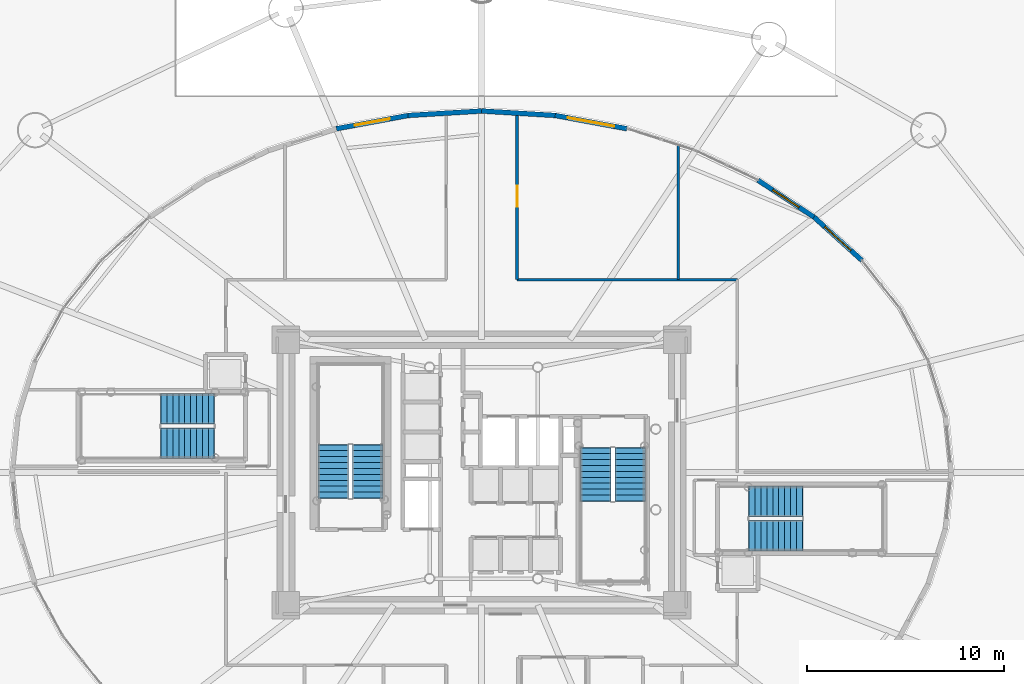
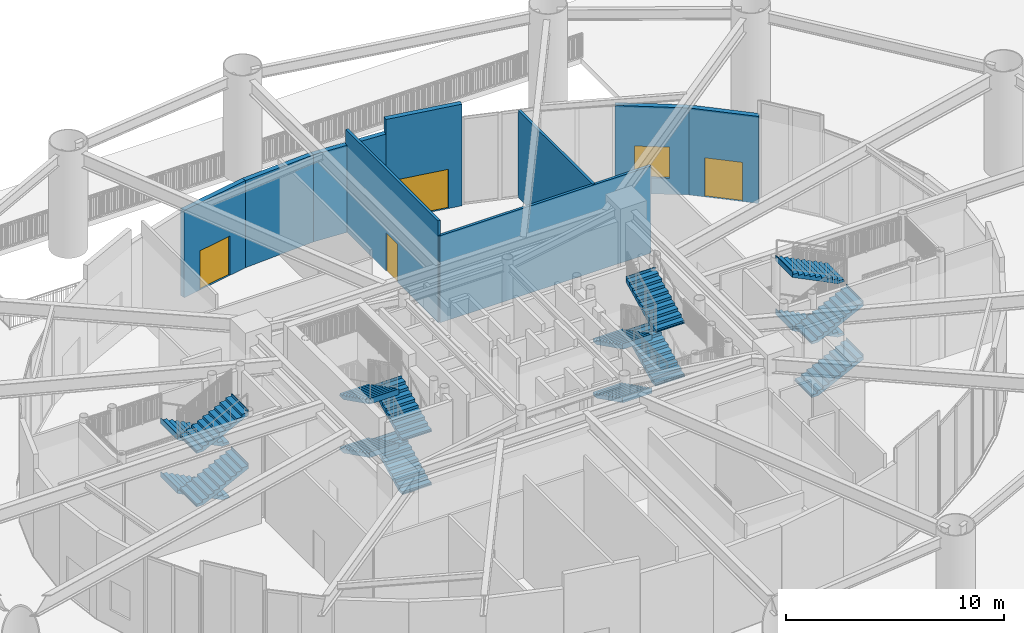
# One storey, part 33 of 46: 16 stair flights, 9 walls, 4 doors, 1 window, 5 openings, 4 elements without a shape of their own.
"""IFC4 building model written with IfcOpenShell, lengths in metres."""

from ifc_helpers import new_model, si_unit, direction, frame, frame_2d, origin, origin_2d, place, context, subcontext, project, spatial, polyline, rectangle, outline, extrude, source, transform, mapped, material, layer, layer_set, type_object, element, fill, aggregate, save


model = new_model("IFC4")

# Units and contexts
model_context = context("Model", 3, precision=1e-05, world=origin(), true_north=direction((0.0, 1.0)))
body_context = subcontext(model_context, "Body", "Model", "MODEL_VIEW")
ifc_project = project(units=[si_unit("LENGTHUNIT", "METRE"), si_unit("AREAUNIT", "SQUARE_METRE"), si_unit("VOLUMEUNIT", "CUBIC_METRE"), si_unit("PLANEANGLEUNIT", "RADIAN"), si_unit("MASSUNIT", "GRAM", prefix="KILO")], contexts=[model_context])

# Site, building, storey
site_placement = place(None, origin())
site = spatial("IfcSite", under=ifc_project, at=site_placement, CompositionType="ELEMENT")
building_placement = place(site_placement, origin())
building = spatial("IfcBuilding", under=site, at=building_placement, Name="Linh Dai School and Residence Tower", CompositionType="ELEMENT")
storey_placement = place(building_placement, origin())
storey = spatial("IfcBuildingStorey", under=building, at=storey_placement, Name="L00", CompositionType="ELEMENT", Elevation=0.0)

# Wall, opening, door
ifc_material_1 = material(Name="Precast Concrete B45 (C35/45)", Category="concrete")
ifc_layer_1 = layer(ifc_material_1, 0.25)
ifc_layer_set_1 = layer_set([ifc_layer_1], Name="Precast Concrete B45 (C35/45)")
wall_type_1 = type_object("IfcWallType", Name="EW-TC-250", PredefinedType="SOLIDWALL", material=ifc_layer_set_1)
wall_1_placement = place(storey_placement, frame((52.894287109375, 39.982421875, 0.0), z_axis=(0.0, 0.0, 1.0), x_axis=(0.742374125199, -0.669985565692, 0.0)))
wall_1 = element("IfcWall", 1, at=wall_1_placement, inside=storey, type_object=wall_type_1, Name="L00 Terracotta Exterior Wall 05", PredefinedType="SOLIDWALL", context=body_context, shape_type="SweptSolid", body=[
    extrude(rectangle(XDim=3.27490234375, YDim=0.25, at=frame_2d((1.637451171875, 0.0))), origin(), (0.0, 0.0, 1.0), 4.885009765625),
])
opening_1_placement = place(wall_1_placement, frame((0.737548828125, 0.0, 0.0)))
opening_1 = element("IfcOpeningElement", 2, at=opening_1_placement, cuts=wall_1, Name="Opening ED-06", PredefinedType="OPENING", context=body_context, shape_type="SweptSolid", body=[
    extrude(rectangle(XDim=1.800048828125, YDim=2.199951171875, at=origin_2d()), frame((0.89990234375, 0.135009765625, 1.10009765625), z_axis=(0.0, -1.0, 0.0), x_axis=(1.0, 0.0, 0.0)), (0.0, 0.0, 1.0), 0.27001953125),
])
ifc_material_2 = material(Name="Glazed Aluminium Exit Door", Category="aluminium")
door_type_1 = type_object("IfcDoorType", Name="DR-EXIT-1800x2200", OperationType="NOTDEFINED", PredefinedType="DOOR", material=ifc_material_2)
shared_shape_1 = source(origin(), body_context, "Body", "SweptSolid", [
    extrude(rectangle(XDim=1.800048828125, YDim=2.199951171875, at=origin_2d()), frame((0.89990234375, 0.02490234375, 1.10009765625), z_axis=(0.0, -1.0, 0.0), x_axis=(1.0, 0.0, 0.0)), (0.0, 0.0, 1.0), 0.050048828125),
])
door_1_placement = place(opening_1_placement, origin())
door_1 = element("IfcDoor", 3, at=door_1_placement, inside=storey, type_object=door_type_1, Name="Final Exit Door ED-06 (Residential Lobby NE)", OperationType="SINGLE_SWING_RIGHT", OverallHeight=2.199951171875, OverallWidth=1.800048828125, PredefinedType="DOOR", context=body_context, shape_type="MappedRepresentation", body=[
    mapped(shared_shape_1, transform((0.0, 0.0, 0.0), x_axis=(1.0, 0.0, 0.0), y_axis=(0.0, 1.0, 0.0), z_axis=(0.0, 0.0, 1.0), scale=1.0)),
])
fill(opening_1, door_1)

# Wall, opening, window
wall_2_placement = place(storey_placement, frame((50.045654296875, 41.857666015625, 0.0), z_axis=(0.0, 0.0, 1.0), x_axis=(0.835263082911, -0.549850509071, 0.0)))
wall_2 = element("IfcWall", 4, at=wall_2_placement, inside=storey, type_object=wall_type_1, Name="L00 Terracotta Exterior Wall 06", PredefinedType="SOLIDWALL", context=body_context, shape_type="SweptSolid", body=[
    extrude(rectangle(XDim=3.410400390625, YDim=0.25, at=frame_2d((1.705078125, 0.0))), origin(), (0.0, 0.0, 1.0), 4.885009765625),
])
opening_2_placement = place(wall_2_placement, frame((0.905029296875, 0.0, 0.89990234375)))
opening_2 = element("IfcOpeningElement", 5, at=opening_2_placement, cuts=wall_2, Name="Opening W2", PredefinedType="OPENING", context=body_context, shape_type="SweptSolid", body=[
    extrude(rectangle(XDim=1.60009765625, YDim=1.75, at=origin_2d()), frame((0.800048828125, 0.135009765625, 0.875), z_axis=(0.0, -1.0, 0.0), x_axis=(1.0, 0.0, 0.0)), (0.0, 0.0, 1.0), 0.27001953125),
])
ifc_material_3 = material(Name="Double Low-E Insulated Glazing", Category="glass")
window_type = type_object("IfcWindowType", Name="WN-RES-1600x1750", PartitioningType="DOUBLE_PANEL_VERTICAL", PredefinedType="WINDOW", material=ifc_material_3)
shared_shape_2 = source(origin(), body_context, "Body", "SweptSolid", [
    extrude(rectangle(XDim=1.60009765625, YDim=1.75, at=origin_2d()), frame((0.800048828125, 0.030029296875, 0.875), z_axis=(0.0, -1.0, 0.0), x_axis=(1.0, 0.0, 0.0)), (0.0, 0.0, 1.0), 0.06005859375),
])
window_placement = place(opening_2_placement, origin())
window = element("IfcWindow", 6, at=window_placement, inside=storey, type_object=window_type, Name="L00 Exterior Window 06.1", OverallHeight=1.75, OverallWidth=1.60009765625, PartitioningType="DOUBLE_PANEL_VERTICAL", PredefinedType="WINDOW", context=body_context, shape_type="MappedRepresentation", body=[
    mapped(shared_shape_2, transform((0.0, 0.0, 0.0), x_axis=(1.0, 0.0, 0.0), y_axis=(0.0, 1.0, 0.0), z_axis=(0.0, 0.0, 1.0), scale=1.0)),
])
fill(opening_2, window)

# Wall, opening, door
wall_3_placement = place(storey_placement, frame((39.7392578125, 45.148193359375, 0.0), z_axis=(0.0, 0.0, 1.0), x_axis=(0.983306878602, -0.181954891374, 0.0)))
wall_3 = element("IfcWall", 7, at=wall_3_placement, inside=storey, type_object=wall_type_1, Name="L00 Terracotta Exterior Wall 09", PredefinedType="SOLIDWALL", context=body_context, shape_type="SweptSolid", body=[
    extrude(rectangle(XDim=3.708740234375, YDim=0.25, at=frame_2d((1.8544921875, 0.0))), origin(), (0.0, 0.0, 1.0), 5.699951171875),
])
opening_3_placement = place(wall_3_placement, frame((0.654296875, 0.0, 0.0)))
opening_3 = element("IfcOpeningElement", 8, at=opening_3_placement, cuts=wall_3, Name="Opening VG-01", PredefinedType="OPENING", context=body_context, shape_type="SweptSolid", body=[
    extrude(rectangle(XDim=2.39990234375, YDim=2.199951171875, at=origin_2d()), frame((1.199951171875, 0.135009765625, 1.10009765625), z_axis=(0.0, -1.0, 0.0), x_axis=(1.0, 0.0, 0.0)), (0.0, 0.0, 1.0), 0.27001953125),
])
ifc_material_4 = material(Name="Powder-Coated Steel Security Gate", Category="steel")
door_type_2 = type_object("IfcDoorType", Name="GT-PLAZA-2400x2200", OperationType="NOTDEFINED", PredefinedType="GATE", material=ifc_material_4)
shared_shape_3 = source(origin(), body_context, "Body", "SweptSolid", [
    extrude(rectangle(XDim=2.39990234375, YDim=2.199951171875, at=origin_2d()), frame((1.199951171875, 0.02490234375, 1.10009765625), z_axis=(0.0, -1.0, 0.0), x_axis=(1.0, 0.0, 0.0)), (0.0, 0.0, 1.0), 0.050048828125),
])
door_2_placement = place(opening_3_placement, origin())
door_2 = element("IfcDoor", 9, at=door_2_placement, inside=storey, type_object=door_type_2, Name="L00 Concourse Security Gate VG-01", OperationType="SINGLE_SWING_LEFT", OverallHeight=2.199951171875, OverallWidth=2.39990234375, PredefinedType="GATE", context=body_context, shape_type="MappedRepresentation", body=[
    mapped(shared_shape_3, transform((0.0, 0.0, 0.0), x_axis=(1.0, 0.0, 0.0), y_axis=(0.0, 1.0, 0.0), z_axis=(0.0, 0.0, 1.0), scale=1.0)),
])
fill(opening_3, door_2)

# Walls
for number, where, z_axis, x_axis, name in (
    (10, (36.0, 45.375, 0.0), (0.0, 0.0, 1.0), (0.99816551411, -0.060544251933, 0.0), "L00 Terracotta Exterior Wall 10"),
    (11, (32.2607421875, 45.148193359375, 0.0), (0.0, 0.0, 1.0), (0.99816551411, 0.060544251933, 0.0), "L00 Terracotta Exterior Wall 11"),
):
    element("IfcWall", number, at=place(storey_placement, frame(where, z_axis=z_axis, x_axis=x_axis)), inside=storey, type_object=wall_type_1, Name=name, PredefinedType="SOLIDWALL", context=body_context, shape_type="SweptSolid", body=[
        extrude(rectangle(XDim=3.74609375, YDim=0.25, at=frame_2d((1.873046875, 0.0))), origin(), (0.0, 0.0, 1.0), 4.885009765625),
    ])

# Wall, opening, door
wall_4_placement = place(storey_placement, frame((28.614013671875, 44.473388671875, 0.0), z_axis=(0.0, 0.0, 1.0), x_axis=(0.983306878602, 0.181954891374, 0.0)))
wall_4 = element("IfcWall", 12, at=wall_4_placement, inside=storey, type_object=wall_type_1, Name="L00 Terracotta Exterior Wall 12", PredefinedType="SOLIDWALL", context=body_context, shape_type="SweptSolid", body=[
    extrude(rectangle(XDim=3.708740234375, YDim=0.25, at=frame_2d((1.8544921875, 0.0))), origin(), (0.0, 0.0, 1.0), 4.885009765625),
])
opening_4_placement = place(wall_4_placement, frame((0.954345703125, 0.0, 0.0)))
opening_4 = element("IfcOpeningElement", 13, at=opening_4_placement, cuts=wall_4, Name="Opening ED-02", PredefinedType="OPENING", context=body_context, shape_type="SweptSolid", body=[
    extrude(rectangle(XDim=1.800048828125, YDim=2.199951171875, at=origin_2d()), frame((0.89990234375, 0.135009765625, 1.10009765625), z_axis=(0.0, -1.0, 0.0), x_axis=(1.0, 0.0, 0.0)), (0.0, 0.0, 1.0), 0.27001953125),
])
door_3_placement = place(opening_4_placement, origin())
door_3 = element("IfcDoor", 14, at=door_3_placement, inside=storey, type_object=door_type_1, Name="Final Exit Door ED-02 (Stair ST2 North Exit)", OperationType="SINGLE_SWING_RIGHT", OverallHeight=2.199951171875, OverallWidth=1.800048828125, PredefinedType="DOOR", context=body_context, shape_type="MappedRepresentation", body=[
    mapped(shared_shape_1, transform((0.0, 0.0, 0.0), x_axis=(1.0, 0.0, 0.0), y_axis=(0.0, 1.0, 0.0), z_axis=(0.0, 0.0, 1.0), scale=1.0)),
])
fill(opening_4, door_3)

ifc_material_5 = material(Name="Autoclaved Aerated Concrete Blockwork", Category="masonry")
ifc_layer_2 = layer(ifc_material_5, 0.135009765625)
ifc_layer_set_2 = layer_set([ifc_layer_2], Name="Autoclaved Aerated Concrete Blockwork")
wall_type_2 = type_object("IfcWallType", Name="IW-CORR-135-EI90", PredefinedType="PARTITIONING", material=ifc_layer_set_2)
wall_5_placement = place(storey_placement, frame((37.800048828125, 36.800048828125, 0.0), z_axis=(0.0, 0.0, 1.0), x_axis=(0.0, 1.0, 0.0)))
wall_5 = element("IfcWall", 15, at=wall_5_placement, inside=storey, type_object=wall_type_2, Name="L00 Interior Partition Wall 045", PredefinedType="PARTITIONING", context=body_context, shape_type="SweptSolid", body=[
    extrude(rectangle(XDim=8.470703125, YDim=0.135009765625, at=frame_2d((4.2353515625, 0.0))), origin(), (0.0, 0.0, 1.0), 5.699951171875),
])
opening_5_placement = place(wall_5_placement, frame((3.71044921875, 0.0, 0.0)))
opening_5 = element("IfcOpeningElement", 16, at=opening_5_placement, cuts=wall_5, Name="Opening D04", PredefinedType="OPENING", context=body_context, shape_type="SweptSolid", body=[
    extrude(rectangle(XDim=1.050048828125, YDim=2.14990234375, at=origin_2d()), frame((0.52490234375, 0.07763671875, 1.074951171875), z_axis=(0.0, -1.0, 0.0), x_axis=(1.0, 0.0, 0.0)), (0.0, 0.0, 1.0), 0.155029296875),
])
ifc_material_6 = material(Name="Acoustic Vision-Panel Timber Classroom Door", Category="wood")
door_type_3 = type_object("IfcDoorType", Name="DR-SCH-1050x2150-FD60S", OperationType="NOTDEFINED", PredefinedType="DOOR", material=ifc_material_6)
shared_shape_4 = source(origin(), body_context, "Body", "SweptSolid", [
    extrude(rectangle(XDim=1.050048828125, YDim=2.14990234375, at=origin_2d()), frame((0.52490234375, 0.02490234375, 1.074951171875), z_axis=(0.0, -1.0, 0.0), x_axis=(1.0, 0.0, 0.0)), (0.0, 0.0, 1.0), 0.050048828125),
])
door_4_placement = place(opening_5_placement, origin())
door_4 = element("IfcDoor", 17, at=door_4_placement, inside=storey, type_object=door_type_3, Name="L00 Fire Command and Building Security Control Centre Door", OperationType="SINGLE_SWING_RIGHT", OverallHeight=2.14990234375, OverallWidth=1.050048828125, PredefinedType="DOOR", context=body_context, shape_type="MappedRepresentation", body=[
    mapped(shared_shape_4, transform((0.0, 0.0, 0.0), x_axis=(1.0, 0.0, 0.0), y_axis=(0.0, 1.0, 0.0), z_axis=(0.0, 0.0, 1.0), scale=1.0)),
])
fill(opening_5, door_4)

# Walls
wall_6_placement = place(storey_placement, frame((37.800048828125, 36.800048828125, 0.0), z_axis=(0.0, 0.0, 1.0), x_axis=(1.0, 0.0, 0.0)))
element("IfcWall", 18, at=wall_6_placement, inside=storey, type_object=wall_type_2, Name="L00 Interior Partition Wall 046", PredefinedType="PARTITIONING", context=body_context, shape_type="SweptSolid", body=[
    extrude(rectangle(XDim=11.199951171875, YDim=0.135009765625, at=frame_2d((5.60009765625, 0.0))), origin(), (0.0, 0.0, 1.0), 4.885009765625),
])
wall_7_placement = place(storey_placement, frame((46.0, 36.800048828125, 0.0), z_axis=(0.0, 0.0, 1.0), x_axis=(0.0, 1.0, 0.0)))
element("IfcWall", 19, at=wall_7_placement, inside=storey, type_object=wall_type_2, Name="L00 Interior Partition Wall 065", PredefinedType="PARTITIONING", context=body_context, shape_type="SweptSolid", body=[
    extrude(rectangle(XDim=6.843994140625, YDim=0.135009765625, at=frame_2d((3.421875, 0.0))), origin(), (0.0, 0.0, 1.0), 4.885009765625),
])

# Stair, stair flights
ifc_material_7 = material(Name="Concrete B45 (C35/45)", Category="concrete")
stair_type = type_object("IfcStairType", Name="ST-DOG-1550-R1500", PredefinedType="HALF_TURN_STAIR", material=ifc_material_7)
stair_1_placement = place(storey_placement, origin())
stair_1 = element("IfcStair", 20, at=stair_1_placement, inside=storey, type_object=stair_type, Name="L00 Core Smokeproof Exit Stair ST1", PredefinedType="HALF_TURN_STAIR")
stair_flight_type = type_object("IfcStairFlightType", Name="STF-STR-1550-R1500", PredefinedType="STRAIGHT", material=ifc_material_7)
shared_shape_5 = source(origin(), body_context, "Body", "SweptSolid", [
    extrude(outline(polyline([(-0.02490234375, 0.0), (-0.02490234375, 0.06005859375), (0.0, 0.06005859375), (0.0, 0.14990234375), (0.300048828125, 0.14990234375), (0.300048828125, 0.300048828125), (0.60009765625, 0.300048828125), (0.60009765625, 0.449951171875), (0.89990234375, 0.449951171875), (0.89990234375, 0.60009765625), (1.199951171875, 0.60009765625), (1.199951171875, 0.75), (1.5, 0.75), (1.5, 0.89990234375), (1.800048828125, 0.89990234375), (1.800048828125, 1.050048828125), (2.10009765625, 1.050048828125), (2.10009765625, 1.199951171875), (2.39990234375, 1.199951171875), (2.39990234375, 1.35009765625), (2.699951171875, 1.35009765625), (2.699951171875, 1.5), (2.72509765625, 1.5), (2.72509765625, 1.182373046875), (2.699951171875, 1.182373046875), (0.335205078125, 0.0), (-0.02490234375, 0.0)])), frame((0.0, 0.77490234375, 0.0), z_axis=(0.0, -1.0, 0.0), x_axis=(1.0, 0.0, 0.0)), (0.0, 0.0, 1.0), 1.550048828125),
])
stair_flight_1_placement = place(storey_placement, frame((30.205078125, 25.699951171875, 0.0), z_axis=(0.0, 0.0, 1.0), x_axis=(0.0, 1.0, 0.0)))
stair_flight_1 = element("IfcStairFlight", 21, at=stair_flight_1_placement, type_object=stair_flight_type, Name="ST1 flight 1", NumberOfRisers=10, NumberOfTreads=9, PredefinedType="STRAIGHT", RiserHeight=0.15, TreadLength=0.3, context=body_context, shape_type="MappedRepresentation", body=[
    mapped(shared_shape_5, transform((0.0, 0.0, 0.0), x_axis=(1.0, 0.0, 0.0), y_axis=(0.0, 1.0, 0.0), z_axis=(0.0, 0.0, 1.0), scale=1.0)),
])
stair_flight_2_placement = place(storey_placement, frame((28.455078125, 28.39990234375, 1.5), z_axis=(0.0, 0.0, 1.0), x_axis=(0.0, -1.0, 0.0)))
stair_flight_2 = element("IfcStairFlight", 22, at=stair_flight_2_placement, type_object=stair_flight_type, Name="ST1 flight 2", NumberOfRisers=10, NumberOfTreads=9, PredefinedType="STRAIGHT", RiserHeight=0.15, TreadLength=0.3, context=body_context, shape_type="MappedRepresentation", body=[
    mapped(shared_shape_5, transform((0.0, 0.0, 0.0), x_axis=(1.0, 0.0, 0.0), y_axis=(0.0, 1.0, 0.0), z_axis=(0.0, 0.0, 1.0), scale=1.0)),
])
stair_flight_3_placement = place(storey_placement, frame((30.205078125, 25.699951171875, 3.0), z_axis=(0.0, 0.0, 1.0), x_axis=(0.0, 1.0, 0.0)))
stair_flight_3 = element("IfcStairFlight", 23, at=stair_flight_3_placement, type_object=stair_flight_type, Name="ST1 flight 3", NumberOfRisers=10, NumberOfTreads=9, PredefinedType="STRAIGHT", RiserHeight=0.15, TreadLength=0.3, context=body_context, shape_type="MappedRepresentation", body=[
    mapped(shared_shape_5, transform((0.0, 0.0, 0.0), x_axis=(1.0, 0.0, 0.0), y_axis=(0.0, 1.0, 0.0), z_axis=(0.0, 0.0, 1.0), scale=1.0)),
])
stair_flight_4_placement = place(storey_placement, frame((28.455078125, 28.39990234375, 4.5), z_axis=(0.0, 0.0, 1.0), x_axis=(0.0, -1.0, 0.0)))
stair_flight_4 = element("IfcStairFlight", 24, at=stair_flight_4_placement, type_object=stair_flight_type, Name="ST1 flight 4", NumberOfRisers=10, NumberOfTreads=9, PredefinedType="STRAIGHT", RiserHeight=0.15, TreadLength=0.3, context=body_context, shape_type="MappedRepresentation", body=[
    mapped(shared_shape_5, transform((0.0, 0.0, 0.0), x_axis=(1.0, 0.0, 0.0), y_axis=(0.0, 1.0, 0.0), z_axis=(0.0, 0.0, 1.0), scale=1.0)),
])
aggregate(stair_1, [stair_flight_1, stair_flight_2, stair_flight_3, stair_flight_4])

stair_2_placement = place(storey_placement, origin())
stair_2 = element("IfcStair", 25, at=stair_2_placement, inside=storey, type_object=stair_type, Name="L00 Core Smokeproof Exit Stair ST2", PredefinedType="HALF_TURN_STAIR")
stair_flight_5_placement = place(storey_placement, frame((41.794921875, 28.25, 0.0), z_axis=(0.0, 0.0, 1.0), x_axis=(0.0, -1.0, 0.0)))
stair_flight_5 = element("IfcStairFlight", 26, at=stair_flight_5_placement, type_object=stair_flight_type, Name="ST2 flight 1", NumberOfRisers=10, NumberOfTreads=9, PredefinedType="STRAIGHT", RiserHeight=0.15, TreadLength=0.3, context=body_context, shape_type="MappedRepresentation", body=[
    mapped(shared_shape_5, transform((0.0, 0.0, 0.0), x_axis=(1.0, 0.0, 0.0), y_axis=(0.0, 1.0, 0.0), z_axis=(0.0, 0.0, 1.0), scale=1.0)),
])
stair_flight_6_placement = place(storey_placement, frame((43.544921875, 25.550048828125, 1.5), z_axis=(0.0, 0.0, 1.0), x_axis=(0.0, 1.0, 0.0)))
stair_flight_6 = element("IfcStairFlight", 27, at=stair_flight_6_placement, type_object=stair_flight_type, Name="ST2 flight 2", NumberOfRisers=10, NumberOfTreads=9, PredefinedType="STRAIGHT", RiserHeight=0.15, TreadLength=0.3, context=body_context, shape_type="MappedRepresentation", body=[
    mapped(shared_shape_5, transform((0.0, 0.0, 0.0), x_axis=(1.0, 0.0, 0.0), y_axis=(0.0, 1.0, 0.0), z_axis=(0.0, 0.0, 1.0), scale=1.0)),
])
stair_flight_7_placement = place(storey_placement, frame((41.794921875, 28.25, 3.0), z_axis=(0.0, 0.0, 1.0), x_axis=(0.0, -1.0, 0.0)))
stair_flight_7 = element("IfcStairFlight", 28, at=stair_flight_7_placement, type_object=stair_flight_type, Name="ST2 flight 3", NumberOfRisers=10, NumberOfTreads=9, PredefinedType="STRAIGHT", RiserHeight=0.15, TreadLength=0.3, context=body_context, shape_type="MappedRepresentation", body=[
    mapped(shared_shape_5, transform((0.0, 0.0, 0.0), x_axis=(1.0, 0.0, 0.0), y_axis=(0.0, 1.0, 0.0), z_axis=(0.0, 0.0, 1.0), scale=1.0)),
])
stair_flight_8_placement = place(storey_placement, frame((43.544921875, 25.550048828125, 4.5), z_axis=(0.0, 0.0, 1.0), x_axis=(0.0, 1.0, 0.0)))
stair_flight_8 = element("IfcStairFlight", 29, at=stair_flight_8_placement, type_object=stair_flight_type, Name="ST2 flight 4", NumberOfRisers=10, NumberOfTreads=9, PredefinedType="STRAIGHT", RiserHeight=0.15, TreadLength=0.3, context=body_context, shape_type="MappedRepresentation", body=[
    mapped(shared_shape_5, transform((0.0, 0.0, 0.0), x_axis=(1.0, 0.0, 0.0), y_axis=(0.0, 1.0, 0.0), z_axis=(0.0, 0.0, 1.0), scale=1.0)),
])
aggregate(stair_2, [stair_flight_5, stair_flight_6, stair_flight_7, stair_flight_8])

stair_3_placement = place(storey_placement, origin())
stair_3 = element("IfcStair", 30, at=stair_3_placement, inside=storey, type_object=stair_type, Name="L00 School Exit Stair STS1", PredefinedType="HALF_TURN_STAIR")
stair_flight_9_placement = place(storey_placement, frame((22.39990234375, 30.22509765625, 0.0), z_axis=(0.0, 0.0, 1.0), x_axis=(-1.0, 0.0, 0.0)))
stair_flight_9 = element("IfcStairFlight", 31, at=stair_flight_9_placement, type_object=stair_flight_type, Name="STS1 flight 1", NumberOfRisers=10, NumberOfTreads=9, PredefinedType="STRAIGHT", RiserHeight=0.15, TreadLength=0.3, context=body_context, shape_type="MappedRepresentation", body=[
    mapped(shared_shape_5, transform((0.0, 0.0, 0.0), x_axis=(1.0, 0.0, 0.0), y_axis=(0.0, 1.0, 0.0), z_axis=(0.0, 0.0, 1.0), scale=1.0)),
])
stair_flight_10_placement = place(storey_placement, frame((19.699951171875, 28.47509765625, 1.5), z_axis=(0.0, 0.0, 1.0), x_axis=(1.0, 0.0, 0.0)))
stair_flight_10 = element("IfcStairFlight", 32, at=stair_flight_10_placement, type_object=stair_flight_type, Name="STS1 flight 2", NumberOfRisers=10, NumberOfTreads=9, PredefinedType="STRAIGHT", RiserHeight=0.15, TreadLength=0.3, context=body_context, shape_type="MappedRepresentation", body=[
    mapped(shared_shape_5, transform((0.0, 0.0, 0.0), x_axis=(1.0, 0.0, 0.0), y_axis=(0.0, 1.0, 0.0), z_axis=(0.0, 0.0, 1.0), scale=1.0)),
])
stair_flight_11_placement = place(storey_placement, frame((22.39990234375, 30.22509765625, 3.0), z_axis=(0.0, 0.0, 1.0), x_axis=(-1.0, 0.0, 0.0)))
stair_flight_11 = element("IfcStairFlight", 33, at=stair_flight_11_placement, type_object=stair_flight_type, Name="STS1 flight 3", NumberOfRisers=10, NumberOfTreads=9, PredefinedType="STRAIGHT", RiserHeight=0.15, TreadLength=0.3, context=body_context, shape_type="MappedRepresentation", body=[
    mapped(shared_shape_5, transform((0.0, 0.0, 0.0), x_axis=(1.0, 0.0, 0.0), y_axis=(0.0, 1.0, 0.0), z_axis=(0.0, 0.0, 1.0), scale=1.0)),
])
stair_flight_12_placement = place(storey_placement, frame((19.699951171875, 28.47509765625, 4.5), z_axis=(0.0, 0.0, 1.0), x_axis=(1.0, 0.0, 0.0)))
stair_flight_12 = element("IfcStairFlight", 34, at=stair_flight_12_placement, type_object=stair_flight_type, Name="STS1 flight 4", NumberOfRisers=10, NumberOfTreads=9, PredefinedType="STRAIGHT", RiserHeight=0.15, TreadLength=0.3, context=body_context, shape_type="MappedRepresentation", body=[
    mapped(shared_shape_5, transform((0.0, 0.0, 0.0), x_axis=(1.0, 0.0, 0.0), y_axis=(0.0, 1.0, 0.0), z_axis=(0.0, 0.0, 1.0), scale=1.0)),
])
aggregate(stair_3, [stair_flight_9, stair_flight_10, stair_flight_11, stair_flight_12])

stair_4_placement = place(storey_placement, origin())
stair_4 = element("IfcStair", 35, at=stair_4_placement, inside=storey, type_object=stair_type, Name="L00 School Exit Stair STS2", PredefinedType="HALF_TURN_STAIR")
stair_flight_13_placement = place(storey_placement, frame((49.60009765625, 23.77490234375, 0.0), z_axis=(0.0, 0.0, 1.0), x_axis=(1.0, 0.0, 0.0)))
stair_flight_13 = element("IfcStairFlight", 36, at=stair_flight_13_placement, type_object=stair_flight_type, Name="STS2 flight 1", NumberOfRisers=10, NumberOfTreads=9, PredefinedType="STRAIGHT", RiserHeight=0.15, TreadLength=0.3, context=body_context, shape_type="MappedRepresentation", body=[
    mapped(shared_shape_5, transform((0.0, 0.0, 0.0), x_axis=(1.0, 0.0, 0.0), y_axis=(0.0, 1.0, 0.0), z_axis=(0.0, 0.0, 1.0), scale=1.0)),
])
stair_flight_14_placement = place(storey_placement, frame((52.300048828125, 25.52490234375, 1.5), z_axis=(0.0, 0.0, 1.0), x_axis=(-1.0, 0.0, 0.0)))
stair_flight_14 = element("IfcStairFlight", 37, at=stair_flight_14_placement, type_object=stair_flight_type, Name="STS2 flight 2", NumberOfRisers=10, NumberOfTreads=9, PredefinedType="STRAIGHT", RiserHeight=0.15, TreadLength=0.3, context=body_context, shape_type="MappedRepresentation", body=[
    mapped(shared_shape_5, transform((0.0, 0.0, 0.0), x_axis=(1.0, 0.0, 0.0), y_axis=(0.0, 1.0, 0.0), z_axis=(0.0, 0.0, 1.0), scale=1.0)),
])
stair_flight_15_placement = place(storey_placement, frame((49.60009765625, 23.77490234375, 3.0), z_axis=(0.0, 0.0, 1.0), x_axis=(1.0, 0.0, 0.0)))
stair_flight_15 = element("IfcStairFlight", 38, at=stair_flight_15_placement, type_object=stair_flight_type, Name="STS2 flight 3", NumberOfRisers=10, NumberOfTreads=9, PredefinedType="STRAIGHT", RiserHeight=0.15, TreadLength=0.3, context=body_context, shape_type="MappedRepresentation", body=[
    mapped(shared_shape_5, transform((0.0, 0.0, 0.0), x_axis=(1.0, 0.0, 0.0), y_axis=(0.0, 1.0, 0.0), z_axis=(0.0, 0.0, 1.0), scale=1.0)),
])
stair_flight_16_placement = place(storey_placement, frame((52.300048828125, 25.52490234375, 4.5), z_axis=(0.0, 0.0, 1.0), x_axis=(-1.0, 0.0, 0.0)))
stair_flight_16 = element("IfcStairFlight", 39, at=stair_flight_16_placement, type_object=stair_flight_type, Name="STS2 flight 4", NumberOfRisers=10, NumberOfTreads=9, PredefinedType="STRAIGHT", RiserHeight=0.15, TreadLength=0.3, context=body_context, shape_type="MappedRepresentation", body=[
    mapped(shared_shape_5, transform((0.0, 0.0, 0.0), x_axis=(1.0, 0.0, 0.0), y_axis=(0.0, 1.0, 0.0), z_axis=(0.0, 0.0, 1.0), scale=1.0)),
])
aggregate(stair_4, [stair_flight_13, stair_flight_14, stair_flight_15, stair_flight_16])

save(model, "model.ifc")
